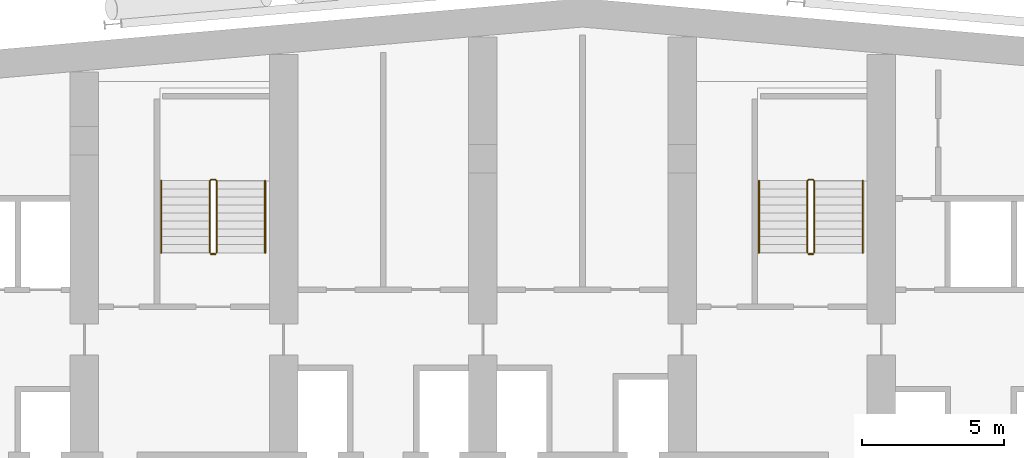
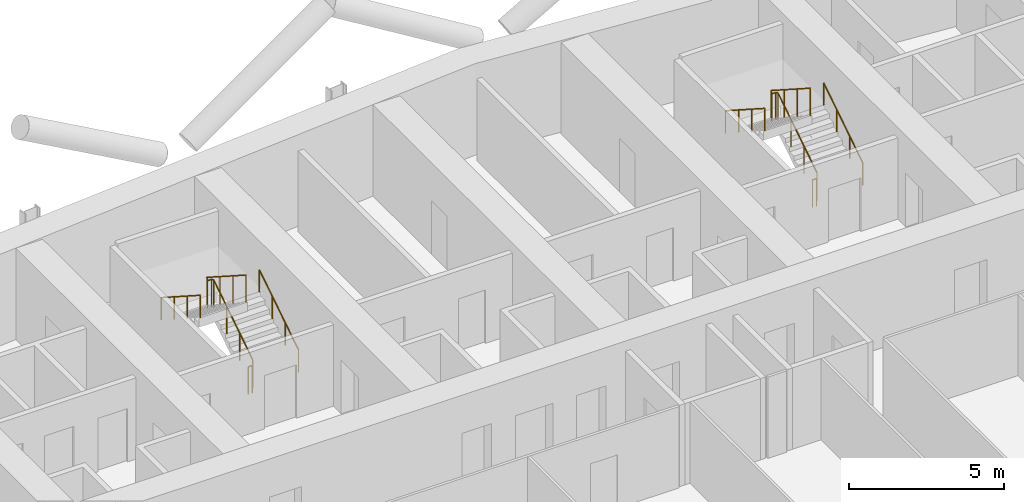
# One storey, part 25 of 26: 8 railings.
"""IFC4 building model written with IfcOpenShell, lengths in metres."""

from ifc_helpers import new_model, si_unit, direction, frame, origin, origin_2d, place, context, subcontext, project, spatial, circle, extrude, material, type_object, element, save


model = new_model("IFC4")

# Units and contexts
model_context = context("Model", 3, precision=1e-05, world=origin(), true_north=direction((0.0, 1.0)))
body_context = subcontext(model_context, "Body", "Model", "MODEL_VIEW")
ifc_project = project(units=[si_unit("LENGTHUNIT", "METRE"), si_unit("AREAUNIT", "SQUARE_METRE"), si_unit("VOLUMEUNIT", "CUBIC_METRE"), si_unit("PLANEANGLEUNIT", "RADIAN"), si_unit("MASSUNIT", "GRAM", prefix="KILO")], contexts=[model_context])

# Site, building, storey
site_placement = place(None, origin())
site = spatial("IfcSite", under=ifc_project, at=site_placement, CompositionType="ELEMENT")
building_placement = place(site_placement, origin())
building = spatial("IfcBuilding", under=site, at=building_placement, Name="Wharfspan Tower", CompositionType="ELEMENT")
storey_placement = place(building_placement, frame((0.0, 0.0, 125.5)))
storey = spatial("IfcBuildingStorey", under=building, at=storey_placement, Name="L29", CompositionType="ELEMENT", Elevation=125.5)

# Railings
ifc_material = material(Name="Steel S355J2", Category="steel")
railing_type_1 = type_object("IfcRailingType", Name="Stair guard 1100", PredefinedType="GUARDRAIL", material=ifc_material)
railing_1_placement = place(storey_placement, frame((27.649902, 42.0, 0.179932)))
element("IfcRailing", 1, at=railing_1_placement, inside=storey, type_object=railing_type_1, Name="L29 ST1 stair guard 1", PredefinedType="GUARDRAIL", context=body_context, shape_type="SweptSolid", body=[
    extrude(circle(Radius=0.023926, at=origin_2d()), frame((0.0, 0.0, 1.076172), z_axis=(0.0, 0.841163, 0.540782), x_axis=(-1.0, 0.0, 0.0)), (0.0, 0.0, 1.0), 2.99585),
    extrude(circle(Radius=0.023926, at=origin_2d()), frame((0.0, 2.52002, 2.696289), z_axis=(-0.705376, 0.708834, 0.0), x_axis=(-0.708834, -0.705376, 0.0)), (0.0, 0.0, 1.0), 0.070557),
    extrude(circle(Radius=0.023926, at=origin_2d()), frame((-0.049805, 2.570068, 2.696289), z_axis=(-1.0, 0.0, 0.0), x_axis=(0.0, -1.0, 0.0)), (0.0, 0.0, 1.0), 0.150146),
    extrude(circle(Radius=0.023926, at=origin_2d()), frame((-0.199951, 2.570068, 2.696289), z_axis=(-0.258848, -0.258848, 0.930589), x_axis=(0.707107, -0.707107, 0.0)), (0.0, 0.0, 1.0), 0.193359),
    extrude(circle(Radius=0.023926, at=origin_2d()), frame((-0.25, 2.52002, 2.875977), z_axis=(0.0, -0.841163, 0.540782), x_axis=(1.0, 0.0, 0.0)), (0.0, 0.0, 1.0), 2.99585),
    extrude(circle(Radius=0.020996, at=origin_2d()), origin(), (0.0, 0.0, 1.0), 1.052002),
    extrude(circle(Radius=0.020996, at=origin_2d()), frame((0.0, 0.840088, 0.540039)), (0.0, 0.0, 1.0), 1.052002),
    extrude(circle(Radius=0.020996, at=origin_2d()), frame((0.0, 1.679932, 1.080078)), (0.0, 0.0, 1.0), 1.052002),
    extrude(circle(Radius=0.020996, at=origin_2d()), frame((0.0, 2.52002, 1.620117)), (0.0, 0.0, 1.0), 1.052002),
    extrude(circle(Radius=0.020996, at=origin_2d()), frame((-0.049805, 2.570068, 1.620117)), (0.0, 0.0, 1.0), 1.052002),
    extrude(circle(Radius=0.020996, at=origin_2d()), frame((-0.199951, 2.570068, 1.620117)), (0.0, 0.0, 1.0), 1.052002),
    extrude(circle(Radius=0.020996, at=origin_2d()), frame((-0.25, 2.52002, 1.800049)), (0.0, 0.0, 1.0), 1.052002),
    extrude(circle(Radius=0.020996, at=origin_2d()), frame((-0.25, 1.679932, 2.340088)), (0.0, 0.0, 1.0), 1.052002),
    extrude(circle(Radius=0.020996, at=origin_2d()), frame((-0.25, 0.840088, 2.880127)), (0.0, 0.0, 1.0), 1.052002),
    extrude(circle(Radius=0.020996, at=origin_2d()), frame((-0.25, 0.0, 3.420166)), (0.0, 0.0, 1.0), 1.052002),
])
railing_2_placement = place(storey_placement, frame((27.600098, 41.949951, 0.0)))
element("IfcRailing", 2, at=railing_2_placement, inside=storey, type_object=railing_type_1, Name="L29 ST1 stair guard 2", PredefinedType="GUARDRAIL", context=body_context, shape_type="SweptSolid", body=[
    extrude(circle(Radius=0.023926, at=origin_2d()), frame((0.0, 0.0, 1.076172), z_axis=(-1.0, 0.0, 0.0), x_axis=(0.0, -1.0, 0.0)), (0.0, 0.0, 1.0), 0.150146),
    extrude(circle(Radius=0.020996, at=origin_2d()), origin(), (0.0, 0.0, 1.0), 1.052002),
    extrude(circle(Radius=0.020996, at=origin_2d()), frame((-0.150146, 0.0, 0.0)), (0.0, 0.0, 1.0), 1.052002),
])
railing_3_placement = place(storey_placement, frame((48.649902, 42.0, 0.179932)))
element("IfcRailing", 3, at=railing_3_placement, inside=storey, type_object=railing_type_1, Name="L29 ST2 stair guard 1", PredefinedType="GUARDRAIL", context=body_context, shape_type="SweptSolid", body=[
    extrude(circle(Radius=0.023926, at=origin_2d()), frame((0.0, 0.0, 1.076172), z_axis=(0.0, 0.841163, 0.540782), x_axis=(-1.0, 0.0, 0.0)), (0.0, 0.0, 1.0), 2.99585),
    extrude(circle(Radius=0.023926, at=origin_2d()), frame((0.0, 2.52002, 2.696289), z_axis=(-0.705376, 0.708834, 0.0), x_axis=(-0.708834, -0.705376, 0.0)), (0.0, 0.0, 1.0), 0.070557),
    extrude(circle(Radius=0.023926, at=origin_2d()), frame((-0.049805, 2.570068, 2.696289), z_axis=(-1.0, 0.0, 0.0), x_axis=(0.0, -1.0, 0.0)), (0.0, 0.0, 1.0), 0.150146),
    extrude(circle(Radius=0.023926, at=origin_2d()), frame((-0.199951, 2.570068, 2.696289), z_axis=(-0.258848, -0.258848, 0.930589), x_axis=(0.707107, -0.707107, 0.0)), (0.0, 0.0, 1.0), 0.193359),
    extrude(circle(Radius=0.023926, at=origin_2d()), frame((-0.25, 2.52002, 2.875977), z_axis=(0.0, -0.841163, 0.540782), x_axis=(1.0, 0.0, 0.0)), (0.0, 0.0, 1.0), 2.99585),
    extrude(circle(Radius=0.020996, at=origin_2d()), origin(), (0.0, 0.0, 1.0), 1.052002),
    extrude(circle(Radius=0.020996, at=origin_2d()), frame((0.0, 0.840088, 0.540039)), (0.0, 0.0, 1.0), 1.052002),
    extrude(circle(Radius=0.020996, at=origin_2d()), frame((0.0, 1.679932, 1.080078)), (0.0, 0.0, 1.0), 1.052002),
    extrude(circle(Radius=0.020996, at=origin_2d()), frame((0.0, 2.52002, 1.620117)), (0.0, 0.0, 1.0), 1.052002),
    extrude(circle(Radius=0.020996, at=origin_2d()), frame((-0.049805, 2.570068, 1.620117)), (0.0, 0.0, 1.0), 1.052002),
    extrude(circle(Radius=0.020996, at=origin_2d()), frame((-0.199951, 2.570068, 1.620117)), (0.0, 0.0, 1.0), 1.052002),
    extrude(circle(Radius=0.020996, at=origin_2d()), frame((-0.25, 2.52002, 1.800049)), (0.0, 0.0, 1.0), 1.052002),
    extrude(circle(Radius=0.020996, at=origin_2d()), frame((-0.25, 1.679932, 2.340088)), (0.0, 0.0, 1.0), 1.052002),
    extrude(circle(Radius=0.020996, at=origin_2d()), frame((-0.25, 0.840088, 2.880127)), (0.0, 0.0, 1.0), 1.052002),
    extrude(circle(Radius=0.020996, at=origin_2d()), frame((-0.25, 0.0, 3.420166)), (0.0, 0.0, 1.0), 1.052002),
])
railing_4_placement = place(storey_placement, frame((48.600098, 41.949951, 0.0)))
element("IfcRailing", 4, at=railing_4_placement, inside=storey, type_object=railing_type_1, Name="L29 ST2 stair guard 2", PredefinedType="GUARDRAIL", context=body_context, shape_type="SweptSolid", body=[
    extrude(circle(Radius=0.023926, at=origin_2d()), frame((0.0, 0.0, 1.076172), z_axis=(-1.0, 0.0, 0.0), x_axis=(0.0, -1.0, 0.0)), (0.0, 0.0, 1.0), 0.150146),
    extrude(circle(Radius=0.020996, at=origin_2d()), origin(), (0.0, 0.0, 1.0), 1.052002),
    extrude(circle(Radius=0.020996, at=origin_2d()), frame((-0.150146, 0.0, 0.0)), (0.0, 0.0, 1.0), 1.052002),
])
railing_type_2 = type_object("IfcRailingType", Name="Stair handrail 900", PredefinedType="HANDRAIL", material=ifc_material)
railing_5_placement = place(storey_placement, frame((29.350098, 42.0, 0.179932)))
element("IfcRailing", 5, at=railing_5_placement, inside=storey, type_object=railing_type_2, Name="L29 ST1 stair handrail 1", PredefinedType="HANDRAIL", context=body_context, shape_type="SweptSolid", body=[
    extrude(circle(Radius=0.023926, at=origin_2d()), frame((0.0, 0.0, 0.875977), z_axis=(0.0, 0.841163, 0.540782), x_axis=(-1.0, 0.0, 0.0)), (0.0, 0.0, 1.0), 2.99585),
    extrude(circle(Radius=0.020996, at=origin_2d()), origin(), (0.0, 0.0, 1.0), 0.851807),
    extrude(circle(Radius=0.020996, at=origin_2d()), frame((0.0, 0.840088, 0.540039)), (0.0, 0.0, 1.0), 0.851807),
    extrude(circle(Radius=0.020996, at=origin_2d()), frame((0.0, 1.679932, 1.080078)), (0.0, 0.0, 1.0), 0.851807),
    extrude(circle(Radius=0.020996, at=origin_2d()), frame((0.0, 2.52002, 1.620117)), (0.0, 0.0, 1.0), 0.851807),
])
railing_6_placement = place(storey_placement, frame((25.699951, 44.52002, 1.97998)))
element("IfcRailing", 6, at=railing_6_placement, inside=storey, type_object=railing_type_2, Name="L29 ST1 stair handrail 2", PredefinedType="HANDRAIL", context=body_context, shape_type="SweptSolid", body=[
    extrude(circle(Radius=0.023926, at=origin_2d()), frame((0.0, 0.0, 0.875977), z_axis=(0.0, -0.841163, 0.540782), x_axis=(1.0, 0.0, 0.0)), (0.0, 0.0, 1.0), 2.99585),
    extrude(circle(Radius=0.020996, at=origin_2d()), origin(), (0.0, 0.0, 1.0), 0.851807),
    extrude(circle(Radius=0.020996, at=origin_2d()), frame((0.0, -0.840088, 0.540039)), (0.0, 0.0, 1.0), 0.851807),
    extrude(circle(Radius=0.020996, at=origin_2d()), frame((0.0, -1.679932, 1.080078)), (0.0, 0.0, 1.0), 0.851807),
    extrude(circle(Radius=0.020996, at=origin_2d()), frame((0.0, -2.52002, 1.620117)), (0.0, 0.0, 1.0), 0.851807),
])
railing_7_placement = place(storey_placement, frame((50.350098, 42.0, 0.179932)))
element("IfcRailing", 7, at=railing_7_placement, inside=storey, type_object=railing_type_2, Name="L29 ST2 stair handrail 1", PredefinedType="HANDRAIL", context=body_context, shape_type="SweptSolid", body=[
    extrude(circle(Radius=0.023926, at=origin_2d()), frame((0.0, 0.0, 0.875977), z_axis=(0.0, 0.841163, 0.540782), x_axis=(-1.0, 0.0, 0.0)), (0.0, 0.0, 1.0), 2.99585),
    extrude(circle(Radius=0.020996, at=origin_2d()), origin(), (0.0, 0.0, 1.0), 0.851807),
    extrude(circle(Radius=0.020996, at=origin_2d()), frame((0.0, 0.840088, 0.540039)), (0.0, 0.0, 1.0), 0.851807),
    extrude(circle(Radius=0.020996, at=origin_2d()), frame((0.0, 1.679932, 1.080078)), (0.0, 0.0, 1.0), 0.851807),
    extrude(circle(Radius=0.020996, at=origin_2d()), frame((0.0, 2.52002, 1.620117)), (0.0, 0.0, 1.0), 0.851807),
])
railing_8_placement = place(storey_placement, frame((46.699951, 44.52002, 1.97998)))
element("IfcRailing", 8, at=railing_8_placement, inside=storey, type_object=railing_type_2, Name="L29 ST2 stair handrail 2", PredefinedType="HANDRAIL", context=body_context, shape_type="SweptSolid", body=[
    extrude(circle(Radius=0.023926, at=origin_2d()), frame((0.0, 0.0, 0.875977), z_axis=(0.0, -0.841163, 0.540782), x_axis=(1.0, 0.0, 0.0)), (0.0, 0.0, 1.0), 2.99585),
    extrude(circle(Radius=0.020996, at=origin_2d()), origin(), (0.0, 0.0, 1.0), 0.851807),
    extrude(circle(Radius=0.020996, at=origin_2d()), frame((0.0, -0.840088, 0.540039)), (0.0, 0.0, 1.0), 0.851807),
    extrude(circle(Radius=0.020996, at=origin_2d()), frame((0.0, -1.679932, 1.080078)), (0.0, 0.0, 1.0), 0.851807),
    extrude(circle(Radius=0.020996, at=origin_2d()), frame((0.0, -2.52002, 1.620117)), (0.0, 0.0, 1.0), 0.851807),
])

save(model, "model.ifc")
